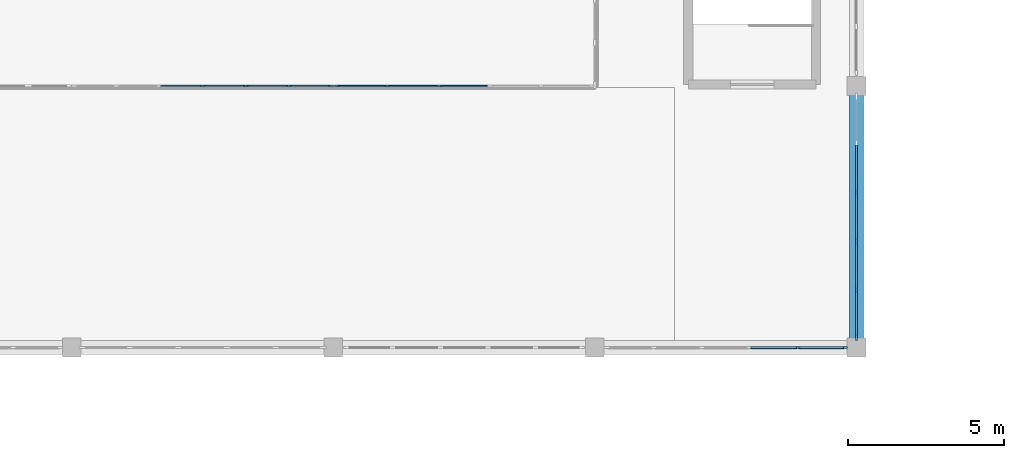
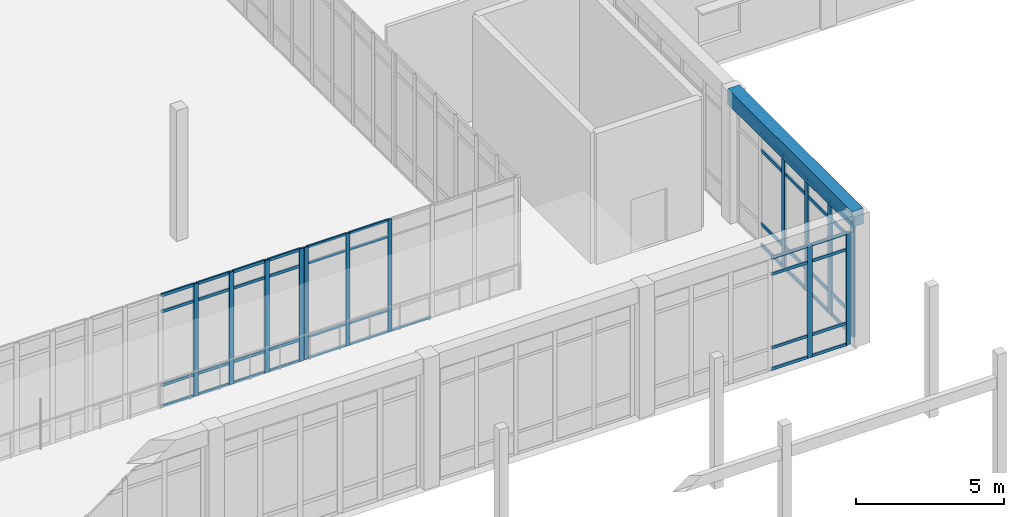
# One storey, part 20 of 157: 62 members, 1 beam, 4 elements without a shape of their own.
"""IFC4 building model written with IfcOpenShell, lengths in metres."""

import ifcopenshell
import ifcopenshell.guid

model = None  # the IFC model being written
_history = None  # IfcOwnerHistory: only IFC2X3 demands one
_inside = {}  # id of a spatial element -> (the spatial element, [elements in it])
_under = {}  # id of a project, library or spatial element -> (it, [spatial elements below it])
_declared = {}  # id of a project -> (the project, [libraries it declares])
_typed = {}  # id of a type object -> (the type object, [elements of that type])
_made_of = {}  # id of a material, layer set ... -> (it, [elements and type objects made of it])


def new_model(schema):
    """Start an empty IFC model of exactly this schema.

    Asked for "IFC4X3", IfcOpenShell would pick the latest addendum, in which some entities
    have other attributes; the version numbers below select the first issue.
    IFC2X3 requires an IfcOwnerHistory on every rooted entity: one is made here for all.
    """
    global model, _history
    if schema == "IFC4X3":
        model = ifcopenshell.file(schema_version=(4, 3, 0, 0))
    else:
        model = ifcopenshell.file(schema=schema)
    _inside.clear()
    _under.clear()
    _declared.clear()
    _typed.clear()
    _made_of.clear()
    _history = None
    if model.schema == "IFC2X3":
        org = make("IfcOrganization", Name="unknown")
        user = make(
            "IfcPersonAndOrganization",
            ThePerson=make("IfcPerson", FamilyName="unknown"),
            TheOrganization=org,
        )
        app = make(
            "IfcApplication",
            ApplicationDeveloper=org,
            Version="unknown",
            ApplicationFullName="unknown",
            ApplicationIdentifier="unknown",
        )
        _history = make(
            "IfcOwnerHistory",
            OwningUser=user,
            OwningApplication=app,
            ChangeAction="ADDED",
            CreationDate=0,
        )
    return model


def make(cls, **values):
    """One entity of the class cls with the attributes given. An attribute that is None is left unset."""
    return model.create_entity(
        cls, **{name: value for name, value in values.items() if value is not None}
    )


def rooted(cls, **values):
    """An entity with a GlobalId (a new one), such as an element, a storey or a relation."""
    return make(cls, GlobalId=ifcopenshell.guid.new(), OwnerHistory=_history, **values)


def si_unit(unit_type, name, prefix=None):
    """IfcSIUnit, for example si_unit("LENGTHUNIT", "METRE", prefix="MILLI")."""
    return make("IfcSIUnit", UnitType=unit_type, Prefix=prefix, Name=name)


def assignment(units):
    """IfcUnitAssignment: the units of a project."""
    return None if units is None else make("IfcUnitAssignment", Units=units)


def point(xyz):
    """IfcCartesianPoint."""
    return None if xyz is None else make("IfcCartesianPoint", Coordinates=xyz)


def direction(xyz):
    """IfcDirection."""
    return None if xyz is None else make("IfcDirection", DirectionRatios=xyz)


def frame(location, z_axis=None, x_axis=None):
    """IfcAxis2Placement3D, a coordinate frame: its origin and axes. An axis left out is left unset."""
    return make(
        "IfcAxis2Placement3D",
        Location=point(location),
        Axis=direction(z_axis),
        RefDirection=direction(x_axis),
    )


def frame_2d(location, x_axis=None):
    """IfcAxis2Placement2D, a coordinate frame in the plane: its origin and x axis."""
    return make(
        "IfcAxis2Placement2D", Location=point(location), RefDirection=direction(x_axis)
    )


def origin():
    """The frame at (0, 0, 0) with its axes left unset."""
    return frame((0.0, 0.0, 0.0))


def origin_2d():
    """The frame at (0, 0) in the plane with its x axis left unset."""
    return frame_2d((0.0, 0.0))


def place(relative_to, where):
    """IfcLocalPlacement: puts the frame where relative to a parent placement (None: the world)."""
    return make(
        "IfcLocalPlacement", PlacementRelTo=relative_to, RelativePlacement=where
    )


def context(
    kind, dimensions, precision=None, world=None, true_north=None, identifier=None
):
    """IfcGeometricRepresentationContext, for example the 3D "Model" context."""
    return make(
        "IfcGeometricRepresentationContext",
        ContextIdentifier=identifier,
        ContextType=kind,
        CoordinateSpaceDimension=dimensions,
        Precision=precision,
        WorldCoordinateSystem=world,
        TrueNorth=true_north,
    )


def subcontext(parent, identifier, kind, view, scale=None):
    """IfcGeometricRepresentationSubContext, for example "Body" below "Model"."""
    return make(
        "IfcGeometricRepresentationSubContext",
        ContextIdentifier=identifier,
        ContextType=kind,
        ParentContext=parent,
        TargetScale=scale,
        TargetView=view,
    )


def project(units=None, contexts=None):
    """IfcProject with its units and contexts."""
    return rooted(
        "IfcProject",
        Name="project",
        RepresentationContexts=contexts,
        UnitsInContext=assignment(units),
    )


def spatial(cls, under=None, at=None, **own):
    """A site, building, storey or space (cls), placed at a placement, below another one or the project."""
    s = rooted(cls, ObjectPlacement=at, **own)
    if under is not None:
        _under.setdefault(under.id(), (under, []))[1].append(s)
    return s


def profile(cls, at=None, kind="AREA", **sizes):
    """A parametric profile (cls). Its sizes go by their IFC names, for example OverallWidth=200.0."""
    return make(cls, ProfileType=kind, Position=at, **sizes)


def rectangle(**sizes):
    """IfcRectangleProfileDef."""
    return profile("IfcRectangleProfileDef", **sizes)


def extrude(swept, where, along, depth):
    """IfcExtrudedAreaSolid: the profile swept, set in the frame where, extruded along a direction by depth."""
    return make(
        "IfcExtrudedAreaSolid",
        SweptArea=swept,
        Position=where,
        ExtrudedDirection=direction(along),
        Depth=depth,
    )


def shape(context_of_items, identifier, shape_type, items):
    """IfcShapeRepresentation: the items that make up one representation, for example the "Body"."""
    return make(
        "IfcShapeRepresentation",
        ContextOfItems=context_of_items,
        RepresentationIdentifier=identifier,
        RepresentationType=shape_type,
        Items=items,
    )


def material(Name=None, Category=None):
    """IfcMaterial."""
    return make("IfcMaterial", Name=Name, Category=Category)


def material_profile(
    of_material, cross_section, Name=None, Category=None, Priority=None
):
    """IfcMaterialProfile: a cross section and its material."""
    return make(
        "IfcMaterialProfile",
        Name=Name,
        Material=of_material,
        Profile=cross_section,
        Priority=Priority,
        Category=Category,
    )


def profile_set(profiles, Name=None, composite=None):
    """IfcMaterialProfileSet."""
    return make(
        "IfcMaterialProfileSet",
        Name=Name,
        MaterialProfiles=profiles,
        CompositeProfile=composite,
    )


def made_of(thing, what):
    """Note that an element or type object is made of a material, layer set ...; save() writes the relation."""
    if what is not None:
        _made_of.setdefault(what.id(), (what, []))[1].append(thing)
    return thing


def type_object(cls, material=None, **own):
    """A type object (cls), such as IfcWallType, which elements share."""
    return made_of(rooted(cls, **own), material)


def element(
    cls,
    number,
    at=None,
    inside=None,
    cuts=None,
    type_object=None,
    material=None,
    context=None,
    identifier="Body",
    shape_type=None,
    held_by="IfcProductDefinitionShape",
    body=None,
    shapes=None,
    **own,
):
    """One element of the class cls, such as IfcWall. Its Tag is "e" and its number.

    at: its placement. inside: the storey or other place that contains it. cuts: it is an
    opening in that element (IfcRelVoidsElement). A single representation is given by context,
    identifier, shape_type and body (its items); several are given by shapes. held_by: the class
    of the entity that holds the representations. save() writes the other relations.
    """
    e = rooted(cls, Tag="e%d" % number, ObjectPlacement=at, **own)
    if body is not None:
        shapes = [shape(context, identifier, shape_type, body)]
    if shapes is not None:
        e.Representation = make(held_by, Representations=shapes)
    if inside is not None:
        _inside.setdefault(inside.id(), (inside, []))[1].append(e)
    if cuts is not None:
        rooted(
            "IfcRelVoidsElement", RelatingBuildingElement=cuts, RelatedOpeningElement=e
        )
    if type_object is not None:
        _typed.setdefault(type_object.id(), (type_object, []))[1].append(e)
    return made_of(e, material)


def aggregate(whole, parts):
    """IfcRelAggregates: a whole, such as a stair, and the parts it consists of."""
    return rooted("IfcRelAggregates", RelatingObject=whole, RelatedObjects=parts)


def save(model, path):
    """Write the relations noted so far, then the file.

    IfcRelAggregates (storeys below a building ...), IfcRelContainedInSpatialStructure (elements
    in a storey), IfcRelDefinesByType, IfcRelAssociatesMaterial and IfcRelDeclares: one each for
    every whole, place, type object, material and project.
    """
    for whole, parts in _under.values():
        aggregate(whole, parts)
    for where, things in _inside.values():
        rooted(
            "IfcRelContainedInSpatialStructure",
            RelatedElements=things,
            RelatingStructure=where,
        )
    for kind, things in _typed.values():
        rooted("IfcRelDefinesByType", RelatedObjects=things, RelatingType=kind)
    for what, things in _made_of.values():
        rooted("IfcRelAssociatesMaterial", RelatedObjects=things, RelatingMaterial=what)
    for by, libraries in _declared.values():
        rooted("IfcRelDeclares", RelatingContext=by, RelatedDefinitions=libraries)
    model.write(path)


model = new_model("IFC4")

# Units and contexts
model_context = context("Model", 3, precision=1e-05, world=origin(), true_north=direction((0.0, 1.0)))
body_context = subcontext(model_context, "Body", "Model", "MODEL_VIEW")
ifc_project = project(units=[si_unit("LENGTHUNIT", "METRE"), si_unit("AREAUNIT", "SQUARE_METRE"), si_unit("VOLUMEUNIT", "CUBIC_METRE"), si_unit("PLANEANGLEUNIT", "RADIAN"), si_unit("MASSUNIT", "GRAM", prefix="KILO")], contexts=[model_context])

# Site, building, storey
site_placement = place(None, origin())
site = spatial("IfcSite", under=ifc_project, at=site_placement, CompositionType="ELEMENT")
building_placement = place(site_placement, origin())
building = spatial("IfcBuilding", under=site, at=building_placement, Name="Varncliffe General Hospital", CompositionType="ELEMENT")
storey_placement = place(building_placement, frame((0.0, 0.0, 5.39990234375)))
storey = spatial("IfcBuildingStorey", under=building, at=storey_placement, Name="L01", CompositionType="ELEMENT", Elevation=5.39990234375)

# Curtain wall, members
ifc_material_1 = material(Name="Triple low-E argon insulated vision glazing", Category="glass")
curtain_wall_type_1 = type_object("IfcCurtainWallType", Name="Unitised Glazed Curtain Wall CW70 (7724x4640)", PredefinedType="USERDEFINED", material=ifc_material_1)
curtain_wall_1_placement = place(storey_placement, origin())
curtain_wall_1 = element("IfcCurtainWall", 1, at=curtain_wall_1_placement, inside=storey, type_object=curtain_wall_type_1, Name="L01 Glazed Curtain Wall CW70-46", ObjectType="GLAZED CURTAIN WALL", PredefinedType="USERDEFINED")
ifc_material_2 = material(Name="Dark bronze thermally broken aluminium framing", Category="aluminium")
ifc_material_profile_1 = material_profile(ifc_material_2, rectangle(XDim=0.074951171875, YDim=0.179931640625, at=origin_2d()), Name="ALU 75x180")
ifc_profile_set_1 = profile_set([ifc_material_profile_1], Name="Dark bronze thermally broken aluminium framing")
member_type_1 = type_object("IfcMemberType", Name="Curtain Wall Mullion CM44 (ALU 75x180)", PredefinedType="MULLION", material=ifc_profile_set_1)
member_1_placement = place(storey_placement, frame((117.224609375, 7.199951171875, 0.0), z_axis=(0.0, 0.0, 1.0), x_axis=(0.0, -1.0, 0.0)))
member_1 = element("IfcMember", 2, at=member_1_placement, type_object=member_type_1, Name="CW70 mullion 1", PredefinedType="MULLION", context=body_context, shape_type="SweptSolid", body=[
    extrude(rectangle(XDim=0.074951171875, YDim=0.179931640625, at=origin_2d()), origin(), (0.0, 0.0, 1.0), 4.64013671875),
])
member_2_placement = place(storey_placement, frame((115.71728515625, 7.199951171875, 0.0), z_axis=(0.0, 0.0, 1.0), x_axis=(0.0, -1.0, 0.0)))
member_2 = element("IfcMember", 3, at=member_2_placement, type_object=member_type_1, Name="CW70 mullion 2", PredefinedType="MULLION", context=body_context, shape_type="SweptSolid", body=[
    extrude(rectangle(XDim=0.074951171875, YDim=0.179931640625, at=origin_2d()), origin(), (0.0, 0.0, 1.0), 4.64013671875),
])

curtain_wall_type_2 = type_object("IfcCurtainWallType", Name="Unitised Glazed Curtain Wall CW74 (8320x4640)", PredefinedType="USERDEFINED", material=ifc_material_1)
curtain_wall_2_placement = place(storey_placement, origin())
curtain_wall_2 = element("IfcCurtainWall", 4, at=curtain_wall_2_placement, inside=storey, type_object=curtain_wall_type_2, Name="L01 Glazed Curtain Wall CW74-94", ObjectType="GLAZED CURTAIN WALL", PredefinedType="USERDEFINED")
member_3_placement = place(storey_placement, frame((96.60009765625, 15.60009765625, 0.0), z_axis=(0.0, 0.0, 1.0), x_axis=(0.0, 1.0, 0.0)))
member_3 = element("IfcMember", 5, at=member_3_placement, type_object=member_type_1, Name="CW74 mullion 4", PredefinedType="MULLION", context=body_context, shape_type="SweptSolid", body=[
    extrude(rectangle(XDim=0.074951171875, YDim=0.179931640625, at=origin_2d()), origin(), (0.0, 0.0, 1.0), 4.64013671875),
])
member_4_placement = place(storey_placement, frame((97.986572265625, 15.60009765625, 0.0), z_axis=(0.0, 0.0, 1.0), x_axis=(0.0, 1.0, 0.0)))
member_4 = element("IfcMember", 6, at=member_4_placement, type_object=member_type_1, Name="CW74 mullion 5", PredefinedType="MULLION", context=body_context, shape_type="SweptSolid", body=[
    extrude(rectangle(XDim=0.074951171875, YDim=0.179931640625, at=origin_2d()), origin(), (0.0, 0.0, 1.0), 4.64013671875),
])
member_5_placement = place(storey_placement, frame((99.373291015625, 15.60009765625, 0.0), z_axis=(0.0, 0.0, 1.0), x_axis=(0.0, 1.0, 0.0)))
member_5 = element("IfcMember", 7, at=member_5_placement, type_object=member_type_1, Name="CW74 mullion 6", PredefinedType="MULLION", context=body_context, shape_type="SweptSolid", body=[
    extrude(rectangle(XDim=0.074951171875, YDim=0.179931640625, at=origin_2d()), origin(), (0.0, 0.0, 1.0), 4.64013671875),
])
member_6_placement = place(storey_placement, frame((100.722412109375, 15.60009765625, 0.0), z_axis=(0.0, 0.0, 1.0), x_axis=(0.0, 1.0, 0.0)))
member_6 = element("IfcMember", 8, at=member_6_placement, type_object=member_type_1, Name="CW74 mullion 7", PredefinedType="MULLION", context=body_context, shape_type="SweptSolid", body=[
    extrude(rectangle(XDim=0.074951171875, YDim=0.179931640625, at=origin_2d()), origin(), (0.0, 0.0, 1.0), 4.64013671875),
])

curtain_wall_type_3 = type_object("IfcCurtainWallType", Name="Unitised Glazed Curtain Wall CW56 (8240x4640)", PredefinedType="USERDEFINED", material=ifc_material_1)
curtain_wall_3_placement = place(storey_placement, origin())
curtain_wall_3 = element("IfcCurtainWall", 9, at=curtain_wall_3_placement, inside=storey, type_object=curtain_wall_type_3, Name="L01 Glazed Curtain Wall CW56-95", ObjectType="GLAZED CURTAIN WALL", PredefinedType="USERDEFINED")
ifc_material_profile_2 = material_profile(ifc_material_2, rectangle(XDim=0.06494140625, YDim=0.159912109375, at=origin_2d()), Name="ALU 65x160")
ifc_profile_set_2 = profile_set([ifc_material_profile_2], Name="Dark bronze thermally broken aluminium framing")
member_type_2 = type_object("IfcMemberType", Name="Curtain Wall Mullion CM65 (ALU 65x160)", PredefinedType="MULLION", material=ifc_profile_set_2)
member_7_placement = place(storey_placement, frame((100.91259765625, 15.60009765625, 0.0), z_axis=(0.0, 0.0, 1.0), x_axis=(0.0, 1.0, 0.0)))
member_7 = element("IfcMember", 10, at=member_7_placement, type_object=member_type_2, Name="CW56 mullion 1", PredefinedType="MULLION", context=body_context, shape_type="SweptSolid", body=[
    extrude(rectangle(XDim=0.06494140625, YDim=0.159912109375, at=origin_2d()), origin(), (0.0, 0.0, 1.0), 4.64013671875),
])
member_8_placement = place(storey_placement, frame((102.528076171875, 15.60009765625, 0.0), z_axis=(0.0, 0.0, 1.0), x_axis=(0.0, 1.0, 0.0)))
member_8 = element("IfcMember", 11, at=member_8_placement, type_object=member_type_2, Name="CW56 mullion 2", PredefinedType="MULLION", context=body_context, shape_type="SweptSolid", body=[
    extrude(rectangle(XDim=0.06494140625, YDim=0.159912109375, at=origin_2d()), origin(), (0.0, 0.0, 1.0), 4.64013671875),
])
member_9_placement = place(storey_placement, frame((104.176025390625, 15.60009765625, 0.0), z_axis=(0.0, 0.0, 1.0), x_axis=(0.0, 1.0, 0.0)))
member_9 = element("IfcMember", 12, at=member_9_placement, type_object=member_type_2, Name="CW56 mullion 3", PredefinedType="MULLION", context=body_context, shape_type="SweptSolid", body=[
    extrude(rectangle(XDim=0.06494140625, YDim=0.159912109375, at=origin_2d()), origin(), (0.0, 0.0, 1.0), 4.64013671875),
])

curtain_wall_type_4 = type_object("IfcCurtainWallType", Name="Unitised Glazed Curtain Wall CW85 (7804x4640)", PredefinedType="USERDEFINED", material=ifc_material_1)
curtain_wall_4_placement = place(storey_placement, origin())
curtain_wall_4 = element("IfcCurtainWall", 13, at=curtain_wall_4_placement, inside=storey, type_object=curtain_wall_type_4, Name="L01 Glazed Curtain Wall CW85-45", ObjectType="GLAZED CURTAIN WALL", PredefinedType="USERDEFINED")
ifc_material_profile_3 = material_profile(ifc_material_2, rectangle(XDim=0.074951171875, YDim=0.219970703125, at=origin_2d()), Name="ALU 75x220")
ifc_profile_set_3 = profile_set([ifc_material_profile_3], Name="Dark bronze thermally broken aluminium framing")
member_type_3 = type_object("IfcMemberType", Name="Curtain Wall Mullion CM74 (ALU 75x220)", PredefinedType="MULLION", material=ifc_profile_set_3)
member_10_placement = place(storey_placement, frame((117.60009765625, 12.180419921875, 0.0), z_axis=(0.0, 0.0, 1.0), x_axis=(1.0, 0.0, 0.0)))
member_10 = element("IfcMember", 14, at=member_10_placement, type_object=member_type_3, Name="CW85 mullion 3", PredefinedType="MULLION", context=body_context, shape_type="SweptSolid", body=[
    extrude(rectangle(XDim=0.074951171875, YDim=0.219970703125, at=origin_2d()), origin(), (0.0, 0.0, 1.0), 4.64013671875),
])
member_11_placement = place(storey_placement, frame((117.60009765625, 10.61962890625, 0.0), z_axis=(0.0, 0.0, 1.0), x_axis=(1.0, 0.0, 0.0)))
member_11 = element("IfcMember", 15, at=member_11_placement, type_object=member_type_3, Name="CW85 mullion 4", PredefinedType="MULLION", context=body_context, shape_type="SweptSolid", body=[
    extrude(rectangle(XDim=0.074951171875, YDim=0.219970703125, at=origin_2d()), origin(), (0.0, 0.0, 1.0), 4.64013671875),
])
member_12_placement = place(storey_placement, frame((117.60009765625, 9.058837890625, 0.0), z_axis=(0.0, 0.0, 1.0), x_axis=(1.0, 0.0, 0.0)))
member_12 = element("IfcMember", 16, at=member_12_placement, type_object=member_type_3, Name="CW85 mullion 5", PredefinedType="MULLION", context=body_context, shape_type="SweptSolid", body=[
    extrude(rectangle(XDim=0.074951171875, YDim=0.219970703125, at=origin_2d()), origin(), (0.0, 0.0, 1.0), 4.64013671875),
])
member_13_placement = place(storey_placement, frame((117.60009765625, 7.535400390625, 0.0), z_axis=(0.0, 0.0, 1.0), x_axis=(1.0, 0.0, 0.0)))
member_13 = element("IfcMember", 17, at=member_13_placement, type_object=member_type_3, Name="CW85 mullion 6", PredefinedType="MULLION", context=body_context, shape_type="SweptSolid", body=[
    extrude(rectangle(XDim=0.074951171875, YDim=0.219970703125, at=origin_2d()), origin(), (0.0, 0.0, 1.0), 4.64013671875),
])

# Member
ifc_material_profile_4 = material_profile(ifc_material_2, rectangle(XDim=0.06005859375, YDim=0.1201171875, at=origin_2d()), Name="ALU 60x120")
ifc_profile_set_4 = profile_set([ifc_material_profile_4], Name="Dark bronze thermally broken aluminium framing")
member_type_4 = type_object("IfcMemberType", Name="Curtain Wall Transom CT14 (ALU 60x120)", PredefinedType="USERDEFINED", material=ifc_profile_set_4)
member_14_placement = place(storey_placement, frame((117.18701171875, 7.199951171875, 0.030029296875), z_axis=(-1.0, 0.0, 0.0), x_axis=(0.0, -1.0, 0.0)))
member_14 = element("IfcMember", 18, at=member_14_placement, type_object=member_type_4, Name="CW70 transom 1.1", ObjectType="TRANSOM", PredefinedType="USERDEFINED", context=body_context, shape_type="SweptSolid", body=[
    extrude(rectangle(XDim=0.06005859375, YDim=0.1201171875, at=origin_2d()), origin(), (0.0, 0.0, 1.0), 1.432373046875),
])

member_15_placement = place(storey_placement, frame((117.18701171875, 7.199951171875, 0.900146484375), z_axis=(-1.0, 0.0, 0.0), x_axis=(0.0, -1.0, 0.0)))
member_15 = element("IfcMember", 19, at=member_15_placement, type_object=member_type_4, Name="CW70 transom 1.2", ObjectType="TRANSOM", PredefinedType="USERDEFINED", context=body_context, shape_type="SweptSolid", body=[
    extrude(rectangle(XDim=0.06005859375, YDim=0.1201171875, at=origin_2d()), origin(), (0.0, 0.0, 1.0), 1.432373046875),
])

member_16_placement = place(storey_placement, frame((117.18701171875, 7.199951171875, 3.940185546875), z_axis=(-1.0, 0.0, 0.0), x_axis=(0.0, -1.0, 0.0)))
member_16 = element("IfcMember", 20, at=member_16_placement, type_object=member_type_4, Name="CW70 transom 1.3", ObjectType="TRANSOM", PredefinedType="USERDEFINED", context=body_context, shape_type="SweptSolid", body=[
    extrude(rectangle(XDim=0.06005859375, YDim=0.1201171875, at=origin_2d()), origin(), (0.0, 0.0, 1.0), 1.432373046875),
])

member_17_placement = place(storey_placement, frame((117.18701171875, 7.199951171875, 4.610107421875), z_axis=(-1.0, 0.0, 0.0), x_axis=(0.0, -1.0, 0.0)))
member_17 = element("IfcMember", 21, at=member_17_placement, type_object=member_type_4, Name="CW70 transom 1.4", ObjectType="TRANSOM", PredefinedType="USERDEFINED", context=body_context, shape_type="SweptSolid", body=[
    extrude(rectangle(XDim=0.06005859375, YDim=0.1201171875, at=origin_2d()), origin(), (0.0, 0.0, 1.0), 1.432373046875),
])

member_18_placement = place(storey_placement, frame((115.6796875, 7.199951171875, 0.030029296875), z_axis=(-1.0, 0.0, 0.0), x_axis=(0.0, -1.0, 0.0)))
member_18 = element("IfcMember", 22, at=member_18_placement, type_object=member_type_4, Name="CW70 transom 2.1", ObjectType="TRANSOM", PredefinedType="USERDEFINED", context=body_context, shape_type="SweptSolid", body=[
    extrude(rectangle(XDim=0.06005859375, YDim=0.1201171875, at=origin_2d()), origin(), (0.0, 0.0, 1.0), 1.4697265625),
])

member_19_placement = place(storey_placement, frame((115.6796875, 7.199951171875, 0.900146484375), z_axis=(-1.0, 0.0, 0.0), x_axis=(0.0, -1.0, 0.0)))
member_19 = element("IfcMember", 23, at=member_19_placement, type_object=member_type_4, Name="CW70 transom 2.2", ObjectType="TRANSOM", PredefinedType="USERDEFINED", context=body_context, shape_type="SweptSolid", body=[
    extrude(rectangle(XDim=0.06005859375, YDim=0.1201171875, at=origin_2d()), origin(), (0.0, 0.0, 1.0), 1.4697265625),
])

member_20_placement = place(storey_placement, frame((115.6796875, 7.199951171875, 3.940185546875), z_axis=(-1.0, 0.0, 0.0), x_axis=(0.0, -1.0, 0.0)))
member_20 = element("IfcMember", 24, at=member_20_placement, type_object=member_type_4, Name="CW70 transom 2.3", ObjectType="TRANSOM", PredefinedType="USERDEFINED", context=body_context, shape_type="SweptSolid", body=[
    extrude(rectangle(XDim=0.06005859375, YDim=0.1201171875, at=origin_2d()), origin(), (0.0, 0.0, 1.0), 1.4697265625),
])

member_21_placement = place(storey_placement, frame((115.6796875, 7.199951171875, 4.610107421875), z_axis=(-1.0, 0.0, 0.0), x_axis=(0.0, -1.0, 0.0)))
member_21 = element("IfcMember", 25, at=member_21_placement, type_object=member_type_4, Name="CW70 transom 2.4", ObjectType="TRANSOM", PredefinedType="USERDEFINED", context=body_context, shape_type="SweptSolid", body=[
    extrude(rectangle(XDim=0.06005859375, YDim=0.1201171875, at=origin_2d()), origin(), (0.0, 0.0, 1.0), 1.4697265625),
])

aggregate(curtain_wall_1, [member_1, member_2, member_14, member_15, member_16, member_17, member_18, member_19, member_20, member_21])

member_22_placement = place(storey_placement, frame((95.250732421875, 15.60009765625, 0.030029296875), z_axis=(1.0, 0.0, 0.0), x_axis=(0.0, 1.0, 0.0)))
member_22 = element("IfcMember", 26, at=member_22_placement, type_object=member_type_4, Name="CW74 transom 3.1", ObjectType="TRANSOM", PredefinedType="USERDEFINED", context=body_context, shape_type="SweptSolid", body=[
    extrude(rectangle(XDim=0.06005859375, YDim=0.1201171875, at=origin_2d()), origin(), (0.0, 0.0, 1.0), 1.311767578125),
])

member_23_placement = place(storey_placement, frame((95.250732421875, 15.60009765625, 0.900146484375), z_axis=(1.0, 0.0, 0.0), x_axis=(0.0, 1.0, 0.0)))
member_23 = element("IfcMember", 27, at=member_23_placement, type_object=member_type_4, Name="CW74 transom 3.2", ObjectType="TRANSOM", PredefinedType="USERDEFINED", context=body_context, shape_type="SweptSolid", body=[
    extrude(rectangle(XDim=0.06005859375, YDim=0.1201171875, at=origin_2d()), origin(), (0.0, 0.0, 1.0), 1.311767578125),
])

member_24_placement = place(storey_placement, frame((95.250732421875, 15.60009765625, 3.940185546875), z_axis=(1.0, 0.0, 0.0), x_axis=(0.0, 1.0, 0.0)))
member_24 = element("IfcMember", 28, at=member_24_placement, type_object=member_type_4, Name="CW74 transom 3.3", ObjectType="TRANSOM", PredefinedType="USERDEFINED", context=body_context, shape_type="SweptSolid", body=[
    extrude(rectangle(XDim=0.06005859375, YDim=0.1201171875, at=origin_2d()), origin(), (0.0, 0.0, 1.0), 1.311767578125),
])

member_25_placement = place(storey_placement, frame((95.250732421875, 15.60009765625, 4.610107421875), z_axis=(1.0, 0.0, 0.0), x_axis=(0.0, 1.0, 0.0)))
member_25 = element("IfcMember", 29, at=member_25_placement, type_object=member_type_4, Name="CW74 transom 3.4", ObjectType="TRANSOM", PredefinedType="USERDEFINED", context=body_context, shape_type="SweptSolid", body=[
    extrude(rectangle(XDim=0.06005859375, YDim=0.1201171875, at=origin_2d()), origin(), (0.0, 0.0, 1.0), 1.311767578125),
])

member_26_placement = place(storey_placement, frame((96.637451171875, 15.60009765625, 0.030029296875), z_axis=(1.0, 0.0, 0.0), x_axis=(0.0, 1.0, 0.0)))
member_26 = element("IfcMember", 30, at=member_26_placement, type_object=member_type_4, Name="CW74 transom 4.1", ObjectType="TRANSOM", PredefinedType="USERDEFINED", context=body_context, shape_type="SweptSolid", body=[
    extrude(rectangle(XDim=0.06005859375, YDim=0.1201171875, at=origin_2d()), origin(), (0.0, 0.0, 1.0), 1.311767578125),
])

member_27_placement = place(storey_placement, frame((96.637451171875, 15.60009765625, 0.900146484375), z_axis=(1.0, 0.0, 0.0), x_axis=(0.0, 1.0, 0.0)))
member_27 = element("IfcMember", 31, at=member_27_placement, type_object=member_type_4, Name="CW74 transom 4.2", ObjectType="TRANSOM", PredefinedType="USERDEFINED", context=body_context, shape_type="SweptSolid", body=[
    extrude(rectangle(XDim=0.06005859375, YDim=0.1201171875, at=origin_2d()), origin(), (0.0, 0.0, 1.0), 1.311767578125),
])

member_28_placement = place(storey_placement, frame((96.637451171875, 15.60009765625, 3.940185546875), z_axis=(1.0, 0.0, 0.0), x_axis=(0.0, 1.0, 0.0)))
member_28 = element("IfcMember", 32, at=member_28_placement, type_object=member_type_4, Name="CW74 transom 4.3", ObjectType="TRANSOM", PredefinedType="USERDEFINED", context=body_context, shape_type="SweptSolid", body=[
    extrude(rectangle(XDim=0.06005859375, YDim=0.1201171875, at=origin_2d()), origin(), (0.0, 0.0, 1.0), 1.311767578125),
])

member_29_placement = place(storey_placement, frame((96.637451171875, 15.60009765625, 4.610107421875), z_axis=(1.0, 0.0, 0.0), x_axis=(0.0, 1.0, 0.0)))
member_29 = element("IfcMember", 33, at=member_29_placement, type_object=member_type_4, Name="CW74 transom 4.4", ObjectType="TRANSOM", PredefinedType="USERDEFINED", context=body_context, shape_type="SweptSolid", body=[
    extrude(rectangle(XDim=0.06005859375, YDim=0.1201171875, at=origin_2d()), origin(), (0.0, 0.0, 1.0), 1.311767578125),
])

member_30_placement = place(storey_placement, frame((98.024169921875, 15.60009765625, 0.030029296875), z_axis=(1.0, 0.0, 0.0), x_axis=(0.0, 1.0, 0.0)))
member_30 = element("IfcMember", 34, at=member_30_placement, type_object=member_type_4, Name="CW74 transom 5.1", ObjectType="TRANSOM", PredefinedType="USERDEFINED", context=body_context, shape_type="SweptSolid", body=[
    extrude(rectangle(XDim=0.06005859375, YDim=0.1201171875, at=origin_2d()), origin(), (0.0, 0.0, 1.0), 1.311767578125),
])

member_31_placement = place(storey_placement, frame((98.024169921875, 15.60009765625, 0.900146484375), z_axis=(1.0, 0.0, 0.0), x_axis=(0.0, 1.0, 0.0)))
member_31 = element("IfcMember", 35, at=member_31_placement, type_object=member_type_4, Name="CW74 transom 5.2", ObjectType="TRANSOM", PredefinedType="USERDEFINED", context=body_context, shape_type="SweptSolid", body=[
    extrude(rectangle(XDim=0.06005859375, YDim=0.1201171875, at=origin_2d()), origin(), (0.0, 0.0, 1.0), 1.311767578125),
])

member_32_placement = place(storey_placement, frame((98.024169921875, 15.60009765625, 3.940185546875), z_axis=(1.0, 0.0, 0.0), x_axis=(0.0, 1.0, 0.0)))
member_32 = element("IfcMember", 36, at=member_32_placement, type_object=member_type_4, Name="CW74 transom 5.3", ObjectType="TRANSOM", PredefinedType="USERDEFINED", context=body_context, shape_type="SweptSolid", body=[
    extrude(rectangle(XDim=0.06005859375, YDim=0.1201171875, at=origin_2d()), origin(), (0.0, 0.0, 1.0), 1.311767578125),
])

member_33_placement = place(storey_placement, frame((98.024169921875, 15.60009765625, 4.610107421875), z_axis=(1.0, 0.0, 0.0), x_axis=(0.0, 1.0, 0.0)))
member_33 = element("IfcMember", 37, at=member_33_placement, type_object=member_type_4, Name="CW74 transom 5.4", ObjectType="TRANSOM", PredefinedType="USERDEFINED", context=body_context, shape_type="SweptSolid", body=[
    extrude(rectangle(XDim=0.06005859375, YDim=0.1201171875, at=origin_2d()), origin(), (0.0, 0.0, 1.0), 1.311767578125),
])

member_34_placement = place(storey_placement, frame((99.410888671875, 15.60009765625, 0.030029296875), z_axis=(1.0, 0.0, 0.0), x_axis=(0.0, 1.0, 0.0)))
member_34 = element("IfcMember", 38, at=member_34_placement, type_object=member_type_4, Name="CW74 transom 6.1", ObjectType="TRANSOM", PredefinedType="USERDEFINED", context=body_context, shape_type="SweptSolid", body=[
    extrude(rectangle(XDim=0.06005859375, YDim=0.1201171875, at=origin_2d()), origin(), (0.0, 0.0, 1.0), 1.274169921875),
])

member_35_placement = place(storey_placement, frame((99.410888671875, 15.60009765625, 0.900146484375), z_axis=(1.0, 0.0, 0.0), x_axis=(0.0, 1.0, 0.0)))
member_35 = element("IfcMember", 39, at=member_35_placement, type_object=member_type_4, Name="CW74 transom 6.2", ObjectType="TRANSOM", PredefinedType="USERDEFINED", context=body_context, shape_type="SweptSolid", body=[
    extrude(rectangle(XDim=0.06005859375, YDim=0.1201171875, at=origin_2d()), origin(), (0.0, 0.0, 1.0), 1.274169921875),
])

member_36_placement = place(storey_placement, frame((99.410888671875, 15.60009765625, 3.940185546875), z_axis=(1.0, 0.0, 0.0), x_axis=(0.0, 1.0, 0.0)))
member_36 = element("IfcMember", 40, at=member_36_placement, type_object=member_type_4, Name="CW74 transom 6.3", ObjectType="TRANSOM", PredefinedType="USERDEFINED", context=body_context, shape_type="SweptSolid", body=[
    extrude(rectangle(XDim=0.06005859375, YDim=0.1201171875, at=origin_2d()), origin(), (0.0, 0.0, 1.0), 1.274169921875),
])

member_37_placement = place(storey_placement, frame((99.410888671875, 15.60009765625, 4.610107421875), z_axis=(1.0, 0.0, 0.0), x_axis=(0.0, 1.0, 0.0)))
member_37 = element("IfcMember", 41, at=member_37_placement, type_object=member_type_4, Name="CW74 transom 6.4", ObjectType="TRANSOM", PredefinedType="USERDEFINED", context=body_context, shape_type="SweptSolid", body=[
    extrude(rectangle(XDim=0.06005859375, YDim=0.1201171875, at=origin_2d()), origin(), (0.0, 0.0, 1.0), 1.274169921875),
])

aggregate(curtain_wall_2, [member_3, member_4, member_5, member_6, member_22, member_23, member_24, member_25, member_26, member_27, member_28, member_29, member_30, member_31, member_32, member_33, member_34, member_35, member_36, member_37])

ifc_material_profile_5 = material_profile(ifc_material_2, rectangle(XDim=0.06005859375, YDim=0.10009765625, at=origin_2d()), Name="ALU 60x100")
ifc_profile_set_5 = profile_set([ifc_material_profile_5], Name="Dark bronze thermally broken aluminium framing")
member_type_5 = type_object("IfcMemberType", Name="Curtain Wall Transom CT18 (ALU 60x100)", PredefinedType="USERDEFINED", material=ifc_profile_set_5)
member_38_placement = place(storey_placement, frame((100.945068359375, 15.60009765625, 0.030029296875), z_axis=(1.0, 0.0, 0.0), x_axis=(0.0, 1.0, 0.0)))
member_38 = element("IfcMember", 42, at=member_38_placement, type_object=member_type_5, Name="CW56 transom 1.1", ObjectType="TRANSOM", PredefinedType="USERDEFINED", context=body_context, shape_type="SweptSolid", body=[
    extrude(rectangle(XDim=0.06005859375, YDim=0.10009765625, at=origin_2d()), origin(), (0.0, 0.0, 1.0), 1.550537109375),
])

member_39_placement = place(storey_placement, frame((100.945068359375, 15.60009765625, 0.900146484375), z_axis=(1.0, 0.0, 0.0), x_axis=(0.0, 1.0, 0.0)))
member_39 = element("IfcMember", 43, at=member_39_placement, type_object=member_type_5, Name="CW56 transom 1.2", ObjectType="TRANSOM", PredefinedType="USERDEFINED", context=body_context, shape_type="SweptSolid", body=[
    extrude(rectangle(XDim=0.06005859375, YDim=0.10009765625, at=origin_2d()), origin(), (0.0, 0.0, 1.0), 1.550537109375),
])

member_40_placement = place(storey_placement, frame((100.945068359375, 15.60009765625, 3.940185546875), z_axis=(1.0, 0.0, 0.0), x_axis=(0.0, 1.0, 0.0)))
member_40 = element("IfcMember", 44, at=member_40_placement, type_object=member_type_5, Name="CW56 transom 1.3", ObjectType="TRANSOM", PredefinedType="USERDEFINED", context=body_context, shape_type="SweptSolid", body=[
    extrude(rectangle(XDim=0.06005859375, YDim=0.10009765625, at=origin_2d()), origin(), (0.0, 0.0, 1.0), 1.550537109375),
])

member_41_placement = place(storey_placement, frame((100.945068359375, 15.60009765625, 4.610107421875), z_axis=(1.0, 0.0, 0.0), x_axis=(0.0, 1.0, 0.0)))
member_41 = element("IfcMember", 45, at=member_41_placement, type_object=member_type_5, Name="CW56 transom 1.4", ObjectType="TRANSOM", PredefinedType="USERDEFINED", context=body_context, shape_type="SweptSolid", body=[
    extrude(rectangle(XDim=0.06005859375, YDim=0.10009765625, at=origin_2d()), origin(), (0.0, 0.0, 1.0), 1.550537109375),
])

member_42_placement = place(storey_placement, frame((102.560546875, 15.60009765625, 0.030029296875), z_axis=(1.0, 0.0, 0.0), x_axis=(0.0, 1.0, 0.0)))
member_42 = element("IfcMember", 46, at=member_42_placement, type_object=member_type_5, Name="CW56 transom 2.1", ObjectType="TRANSOM", PredefinedType="USERDEFINED", context=body_context, shape_type="SweptSolid", body=[
    extrude(rectangle(XDim=0.06005859375, YDim=0.10009765625, at=origin_2d()), origin(), (0.0, 0.0, 1.0), 1.5830078125),
])

member_43_placement = place(storey_placement, frame((102.560546875, 15.60009765625, 0.900146484375), z_axis=(1.0, 0.0, 0.0), x_axis=(0.0, 1.0, 0.0)))
member_43 = element("IfcMember", 47, at=member_43_placement, type_object=member_type_5, Name="CW56 transom 2.2", ObjectType="TRANSOM", PredefinedType="USERDEFINED", context=body_context, shape_type="SweptSolid", body=[
    extrude(rectangle(XDim=0.06005859375, YDim=0.10009765625, at=origin_2d()), origin(), (0.0, 0.0, 1.0), 1.5830078125),
])

member_44_placement = place(storey_placement, frame((102.560546875, 15.60009765625, 3.940185546875), z_axis=(1.0, 0.0, 0.0), x_axis=(0.0, 1.0, 0.0)))
member_44 = element("IfcMember", 48, at=member_44_placement, type_object=member_type_5, Name="CW56 transom 2.3", ObjectType="TRANSOM", PredefinedType="USERDEFINED", context=body_context, shape_type="SweptSolid", body=[
    extrude(rectangle(XDim=0.06005859375, YDim=0.10009765625, at=origin_2d()), origin(), (0.0, 0.0, 1.0), 1.5830078125),
])

member_45_placement = place(storey_placement, frame((102.560546875, 15.60009765625, 4.610107421875), z_axis=(1.0, 0.0, 0.0), x_axis=(0.0, 1.0, 0.0)))
member_45 = element("IfcMember", 49, at=member_45_placement, type_object=member_type_5, Name="CW56 transom 2.4", ObjectType="TRANSOM", PredefinedType="USERDEFINED", context=body_context, shape_type="SweptSolid", body=[
    extrude(rectangle(XDim=0.06005859375, YDim=0.10009765625, at=origin_2d()), origin(), (0.0, 0.0, 1.0), 1.5830078125),
])

member_46_placement = place(storey_placement, frame((104.20849609375, 15.60009765625, 0.030029296875), z_axis=(1.0, 0.0, 0.0), x_axis=(0.0, 1.0, 0.0)))
member_46 = element("IfcMember", 50, at=member_46_placement, type_object=member_type_5, Name="CW56 transom 3.1", ObjectType="TRANSOM", PredefinedType="USERDEFINED", context=body_context, shape_type="SweptSolid", body=[
    extrude(rectangle(XDim=0.06005859375, YDim=0.10009765625, at=origin_2d()), origin(), (0.0, 0.0, 1.0), 1.5830078125),
])

aggregate(curtain_wall_3, [member_7, member_8, member_9, member_38, member_39, member_40, member_41, member_42, member_43, member_44, member_45, member_46])

ifc_material_profile_6 = material_profile(ifc_material_2, rectangle(XDim=0.06494140625, YDim=0.139892578125, at=origin_2d()), Name="ALU 65x140")
ifc_profile_set_6 = profile_set([ifc_material_profile_6], Name="Dark bronze thermally broken aluminium framing")
member_type_6 = type_object("IfcMemberType", Name="Curtain Wall Transom CT69 (ALU 65x140)", PredefinedType="USERDEFINED", material=ifc_profile_set_6)
member_47_placement = place(storey_placement, frame((117.60009765625, 13.70361328125, 0.03271484375), z_axis=(0.0, -1.0, 0.0), x_axis=(1.0, 0.0, 0.0)))
member_47 = element("IfcMember", 51, at=member_47_placement, type_object=member_type_6, Name="CW85 transom 2.1", ObjectType="TRANSOM", PredefinedType="USERDEFINED", context=body_context, shape_type="SweptSolid", body=[
    extrude(rectangle(XDim=0.06494140625, YDim=0.139892578125, at=origin_2d()), origin(), (0.0, 0.0, 1.0), 1.485595703125),
])

member_48_placement = place(storey_placement, frame((117.60009765625, 13.70361328125, 0.900146484375), z_axis=(0.0, -1.0, 0.0), x_axis=(1.0, 0.0, 0.0)))
member_48 = element("IfcMember", 52, at=member_48_placement, type_object=member_type_6, Name="CW85 transom 2.2", ObjectType="TRANSOM", PredefinedType="USERDEFINED", context=body_context, shape_type="SweptSolid", body=[
    extrude(rectangle(XDim=0.06494140625, YDim=0.139892578125, at=origin_2d()), origin(), (0.0, 0.0, 1.0), 1.485595703125),
])

member_49_placement = place(storey_placement, frame((117.60009765625, 13.70361328125, 3.940185546875), z_axis=(0.0, -1.0, 0.0), x_axis=(1.0, 0.0, 0.0)))
member_49 = element("IfcMember", 53, at=member_49_placement, type_object=member_type_6, Name="CW85 transom 2.3", ObjectType="TRANSOM", PredefinedType="USERDEFINED", context=body_context, shape_type="SweptSolid", body=[
    extrude(rectangle(XDim=0.06494140625, YDim=0.139892578125, at=origin_2d()), origin(), (0.0, 0.0, 1.0), 1.485595703125),
])

member_50_placement = place(storey_placement, frame((117.60009765625, 13.70361328125, 4.607666015625), z_axis=(0.0, -1.0, 0.0), x_axis=(1.0, 0.0, 0.0)))
member_50 = element("IfcMember", 54, at=member_50_placement, type_object=member_type_6, Name="CW85 transom 2.4", ObjectType="TRANSOM", PredefinedType="USERDEFINED", context=body_context, shape_type="SweptSolid", body=[
    extrude(rectangle(XDim=0.06494140625, YDim=0.139892578125, at=origin_2d()), origin(), (0.0, 0.0, 1.0), 1.485595703125),
])

member_51_placement = place(storey_placement, frame((117.60009765625, 12.142822265625, 0.03271484375), z_axis=(0.0, -1.0, 0.0), x_axis=(1.0, 0.0, 0.0)))
member_51 = element("IfcMember", 55, at=member_51_placement, type_object=member_type_6, Name="CW85 transom 3.1", ObjectType="TRANSOM", PredefinedType="USERDEFINED", context=body_context, shape_type="SweptSolid", body=[
    extrude(rectangle(XDim=0.06494140625, YDim=0.139892578125, at=origin_2d()), origin(), (0.0, 0.0, 1.0), 1.48583984375),
])

member_52_placement = place(storey_placement, frame((117.60009765625, 12.142822265625, 0.900146484375), z_axis=(0.0, -1.0, 0.0), x_axis=(1.0, 0.0, 0.0)))
member_52 = element("IfcMember", 56, at=member_52_placement, type_object=member_type_6, Name="CW85 transom 3.2", ObjectType="TRANSOM", PredefinedType="USERDEFINED", context=body_context, shape_type="SweptSolid", body=[
    extrude(rectangle(XDim=0.06494140625, YDim=0.139892578125, at=origin_2d()), origin(), (0.0, 0.0, 1.0), 1.48583984375),
])

member_53_placement = place(storey_placement, frame((117.60009765625, 12.142822265625, 3.940185546875), z_axis=(0.0, -1.0, 0.0), x_axis=(1.0, 0.0, 0.0)))
member_53 = element("IfcMember", 57, at=member_53_placement, type_object=member_type_6, Name="CW85 transom 3.3", ObjectType="TRANSOM", PredefinedType="USERDEFINED", context=body_context, shape_type="SweptSolid", body=[
    extrude(rectangle(XDim=0.06494140625, YDim=0.139892578125, at=origin_2d()), origin(), (0.0, 0.0, 1.0), 1.48583984375),
])

member_54_placement = place(storey_placement, frame((117.60009765625, 12.142822265625, 4.607666015625), z_axis=(0.0, -1.0, 0.0), x_axis=(1.0, 0.0, 0.0)))
member_54 = element("IfcMember", 58, at=member_54_placement, type_object=member_type_6, Name="CW85 transom 3.4", ObjectType="TRANSOM", PredefinedType="USERDEFINED", context=body_context, shape_type="SweptSolid", body=[
    extrude(rectangle(XDim=0.06494140625, YDim=0.139892578125, at=origin_2d()), origin(), (0.0, 0.0, 1.0), 1.48583984375),
])

member_55_placement = place(storey_placement, frame((117.60009765625, 10.58203125, 0.03271484375), z_axis=(0.0, -1.0, 0.0), x_axis=(1.0, 0.0, 0.0)))
member_55 = element("IfcMember", 59, at=member_55_placement, type_object=member_type_6, Name="CW85 transom 4.1", ObjectType="TRANSOM", PredefinedType="USERDEFINED", context=body_context, shape_type="SweptSolid", body=[
    extrude(rectangle(XDim=0.06494140625, YDim=0.139892578125, at=origin_2d()), origin(), (0.0, 0.0, 1.0), 1.48583984375),
])

member_56_placement = place(storey_placement, frame((117.60009765625, 10.58203125, 0.900146484375), z_axis=(0.0, -1.0, 0.0), x_axis=(1.0, 0.0, 0.0)))
member_56 = element("IfcMember", 60, at=member_56_placement, type_object=member_type_6, Name="CW85 transom 4.2", ObjectType="TRANSOM", PredefinedType="USERDEFINED", context=body_context, shape_type="SweptSolid", body=[
    extrude(rectangle(XDim=0.06494140625, YDim=0.139892578125, at=origin_2d()), origin(), (0.0, 0.0, 1.0), 1.48583984375),
])

member_57_placement = place(storey_placement, frame((117.60009765625, 10.58203125, 3.940185546875), z_axis=(0.0, -1.0, 0.0), x_axis=(1.0, 0.0, 0.0)))
member_57 = element("IfcMember", 61, at=member_57_placement, type_object=member_type_6, Name="CW85 transom 4.3", ObjectType="TRANSOM", PredefinedType="USERDEFINED", context=body_context, shape_type="SweptSolid", body=[
    extrude(rectangle(XDim=0.06494140625, YDim=0.139892578125, at=origin_2d()), origin(), (0.0, 0.0, 1.0), 1.48583984375),
])

member_58_placement = place(storey_placement, frame((117.60009765625, 10.58203125, 4.607666015625), z_axis=(0.0, -1.0, 0.0), x_axis=(1.0, 0.0, 0.0)))
member_58 = element("IfcMember", 62, at=member_58_placement, type_object=member_type_6, Name="CW85 transom 4.4", ObjectType="TRANSOM", PredefinedType="USERDEFINED", context=body_context, shape_type="SweptSolid", body=[
    extrude(rectangle(XDim=0.06494140625, YDim=0.139892578125, at=origin_2d()), origin(), (0.0, 0.0, 1.0), 1.48583984375),
])

member_59_placement = place(storey_placement, frame((117.60009765625, 9.021240234375, 0.03271484375), z_axis=(0.0, -1.0, 0.0), x_axis=(1.0, 0.0, 0.0)))
member_59 = element("IfcMember", 63, at=member_59_placement, type_object=member_type_6, Name="CW85 transom 5.1", ObjectType="TRANSOM", PredefinedType="USERDEFINED", context=body_context, shape_type="SweptSolid", body=[
    extrude(rectangle(XDim=0.06494140625, YDim=0.139892578125, at=origin_2d()), origin(), (0.0, 0.0, 1.0), 1.4482421875),
])

member_60_placement = place(storey_placement, frame((117.60009765625, 9.021240234375, 0.900146484375), z_axis=(0.0, -1.0, 0.0), x_axis=(1.0, 0.0, 0.0)))
member_60 = element("IfcMember", 64, at=member_60_placement, type_object=member_type_6, Name="CW85 transom 5.2", ObjectType="TRANSOM", PredefinedType="USERDEFINED", context=body_context, shape_type="SweptSolid", body=[
    extrude(rectangle(XDim=0.06494140625, YDim=0.139892578125, at=origin_2d()), origin(), (0.0, 0.0, 1.0), 1.4482421875),
])

member_61_placement = place(storey_placement, frame((117.60009765625, 9.021240234375, 3.940185546875), z_axis=(0.0, -1.0, 0.0), x_axis=(1.0, 0.0, 0.0)))
member_61 = element("IfcMember", 65, at=member_61_placement, type_object=member_type_6, Name="CW85 transom 5.3", ObjectType="TRANSOM", PredefinedType="USERDEFINED", context=body_context, shape_type="SweptSolid", body=[
    extrude(rectangle(XDim=0.06494140625, YDim=0.139892578125, at=origin_2d()), origin(), (0.0, 0.0, 1.0), 1.4482421875),
])

member_62_placement = place(storey_placement, frame((117.60009765625, 9.021240234375, 4.607666015625), z_axis=(0.0, -1.0, 0.0), x_axis=(1.0, 0.0, 0.0)))
member_62 = element("IfcMember", 66, at=member_62_placement, type_object=member_type_6, Name="CW85 transom 5.4", ObjectType="TRANSOM", PredefinedType="USERDEFINED", context=body_context, shape_type="SweptSolid", body=[
    extrude(rectangle(XDim=0.06494140625, YDim=0.139892578125, at=origin_2d()), origin(), (0.0, 0.0, 1.0), 1.4482421875),
])

aggregate(curtain_wall_4, [member_10, member_11, member_12, member_13, member_47, member_48, member_49, member_50, member_51, member_52, member_53, member_54, member_55, member_56, member_57, member_58, member_59, member_60, member_61, member_62])

# Beam
ifc_material_3 = material(Name="Concrete C35/45 (CSA A23.1 35 MPa)", Category="concrete")
ifc_material_profile_7 = material_profile(ifc_material_3, rectangle(XDim=0.449951171875, YDim=0.64990234375, at=origin_2d()), Name="RC 450x650")
ifc_profile_set_7 = profile_set([ifc_material_profile_7], Name="Concrete C35/45 (CSA A23.1 35 MPa)")
beam_type = type_object("IfcBeamType", Name="Spandrel SP38 (Ext RC 450x650B)", PredefinedType="SPANDREL", material=ifc_profile_set_7)
beam_placement = place(storey_placement, frame((117.60009765625, 7.199951171875, 5.0751953125), z_axis=(0.0, 1.0, 0.0), x_axis=(-1.0, 0.0, 0.0)))
element("IfcBeam", 67, at=beam_placement, inside=storey, type_object=beam_type, Name="L01 Spandrel Beam SP38-417", PredefinedType="SPANDREL", context=body_context, shape_type="SweptSolid", body=[
    extrude(rectangle(XDim=0.449951171875, YDim=0.64990234375, at=origin_2d()), origin(), (0.0, 0.0, 1.0), 8.400146484375),
])

save(model, "model.ifc")
